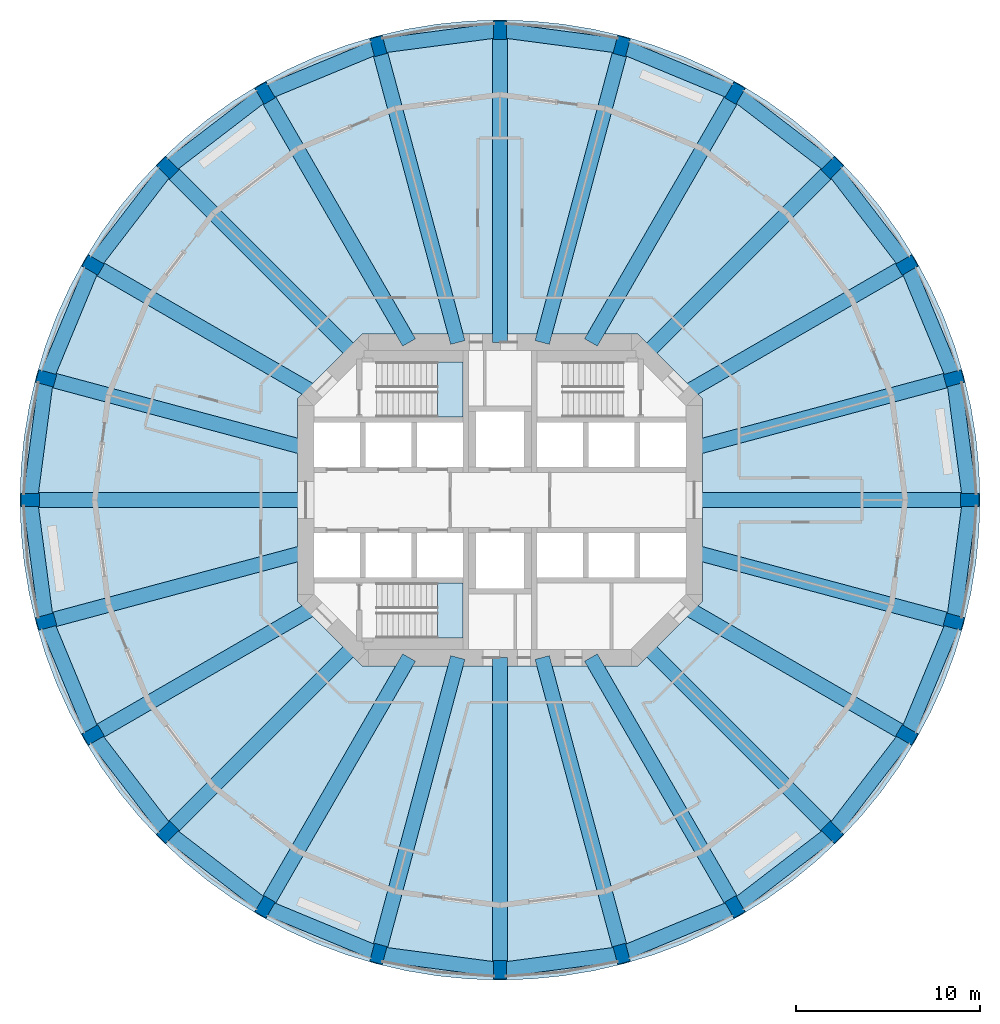
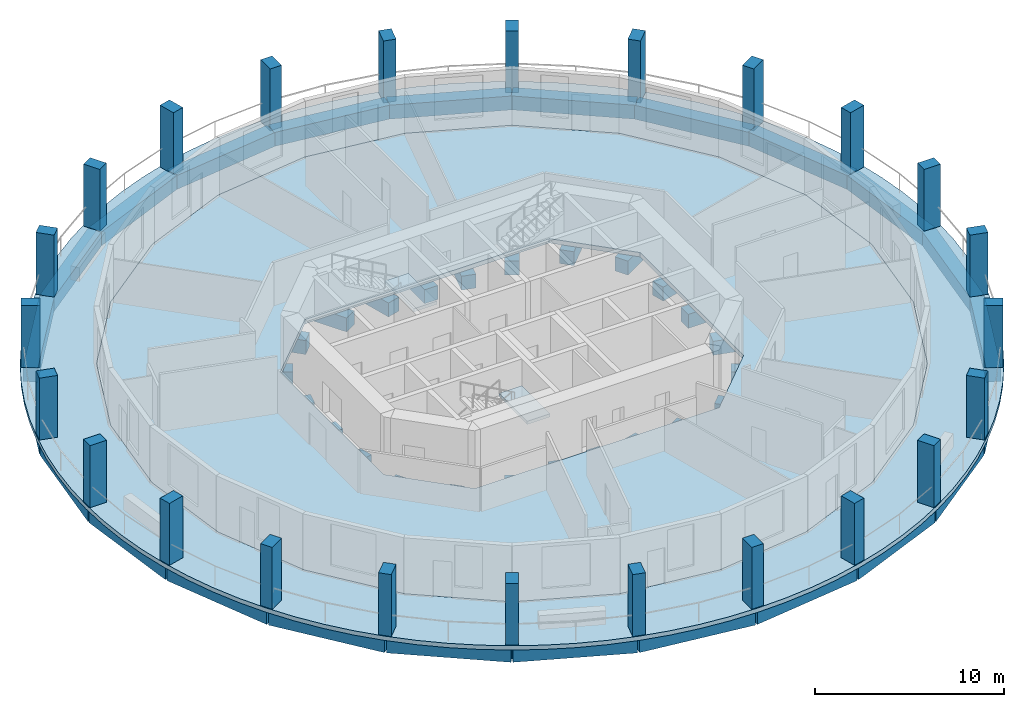
# One storey, part 1 of 8: 48 beams, 24 columns, 4 slabs, 2 elements without a shape of their own.
"""IFC4 building model written with IfcOpenShell, lengths in metres."""

from ifc_helpers import new_model, si_unit, direction, frame, origin, origin_2d, place, context, subcontext, project, spatial, polyline, rectangle, outline, extrude, material, layer, layer_set, material_profile, profile_set, type_object, element, aggregate, save


model = new_model("IFC4")

# Units and contexts
model_context = context("Model", 3, precision=1e-05, world=origin(), true_north=direction((0.0, 1.0)))
body_context = subcontext(model_context, "Body", "Model", "MODEL_VIEW")
ifc_project = project(units=[si_unit("LENGTHUNIT", "METRE"), si_unit("AREAUNIT", "SQUARE_METRE"), si_unit("VOLUMEUNIT", "CUBIC_METRE"), si_unit("PLANEANGLEUNIT", "RADIAN"), si_unit("MASSUNIT", "GRAM", prefix="KILO")], contexts=[model_context])

# Site, building, storey
site_placement = place(None, origin())
site = spatial("IfcSite", under=ifc_project, at=site_placement, CompositionType="ELEMENT")
building_placement = place(site_placement, origin())
building = spatial("IfcBuilding", under=site, at=building_placement, Name="Torre Triforio", CompositionType="ELEMENT")
storey_placement = place(building_placement, frame((0.0, 0.0, 90.60009765625)))
storey = spatial("IfcBuildingStorey", under=building, at=storey_placement, Name="L19", CompositionType="ELEMENT", Elevation=90.60009765625)

# Columns
ifc_material_1 = material(Name="Concrete C60", Category="concrete")
ifc_material_profile_1 = material_profile(ifc_material_1, rectangle(XDim=0.699951171875, YDim=1.0, at=origin_2d()), Name="RC 700x1000")
ifc_profile_set_1 = profile_set([ifc_material_profile_1], Name="Concrete C60")
column_type = type_object("IfcColumnType", Name="Pier RC 700x1000 C60", PredefinedType="COLUMN", material=ifc_profile_set_1)
for number, where, z_axis, x_axis, name in (
    (1, (25.5, 0.0, 0.0), (0.0, 0.0, 1.0), (0.0, 1.0, 0.0), "COL.R.L19.00"),
    (2, (24.631103515625, 6.599853515625, 0.0), (0.0, 0.0, 1.0), (-0.258819045103, 0.965925826289, 0.0), "COL.R.L19.01"),
    (3, (22.083740234375, 12.75, 0.0), (0.0, 0.0, 1.0), (-0.5, 0.866025403784, 0.0), "COL.R.L19.02"),
    (4, (18.03125, 18.03125, 0.0), (0.0, 0.0, 1.0), (-0.707106781187, 0.707106781187, 0.0), "COL.R.L19.03"),
    (5, (12.75, 22.083740234375, 0.0), (0.0, 0.0, 1.0), (-0.866025403784, 0.5, 0.0), "COL.R.L19.04"),
    (6, (6.599853515625, 24.631103515625, 0.0), (0.0, 0.0, 1.0), (-0.965925826289, 0.258819045103, 0.0), "COL.R.L19.05"),
    (7, (0.0, 25.5, 0.0), (0.0, 0.0, 1.0), (-1.0, 0.0, 0.0), "COL.R.L19.06"),
    (8, (-6.599853515625, 24.631103515625, 0.0), (0.0, 0.0, 1.0), (-0.965925826289, -0.258819045103, 0.0), "COL.R.L19.07"),
    (9, (-12.75, 22.083740234375, 0.0), (0.0, 0.0, 1.0), (-0.866025403784, -0.5, 0.0), "COL.R.L19.08"),
    (10, (-18.03125, 18.03125, 0.0), (0.0, 0.0, 1.0), (-0.707106781187, -0.707106781187, 0.0), "COL.R.L19.09"),
    (11, (-22.083740234375, 12.75, 0.0), (0.0, 0.0, 1.0), (-0.5, -0.866025403784, 0.0), "COL.R.L19.10"),
    (12, (-24.631103515625, 6.599853515625, 0.0), (0.0, 0.0, 1.0), (-0.258819045103, -0.965925826289, 0.0), "COL.R.L19.11"),
    (13, (-25.5, 0.0, 0.0), (0.0, 0.0, 1.0), (0.0, -1.0, 0.0), "COL.R.L19.12"),
    (14, (-24.631103515625, -6.599853515625, 0.0), (0.0, 0.0, 1.0), (0.258819045103, -0.965925826289, 0.0), "COL.R.L19.13"),
    (15, (-22.083740234375, -12.75, 0.0), (0.0, 0.0, 1.0), (0.5, -0.866025403784, 0.0), "COL.R.L19.14"),
    (16, (-18.03125, -18.03125, 0.0), (0.0, 0.0, 1.0), (0.707106781187, -0.707106781187, 0.0), "COL.R.L19.15"),
    (17, (-12.75, -22.083740234375, 0.0), (0.0, 0.0, 1.0), (0.866025403784, -0.5, 0.0), "COL.R.L19.16"),
    (18, (-6.599853515625, -24.631103515625, 0.0), (0.0, 0.0, 1.0), (0.965925826289, -0.258819045103, 0.0), "COL.R.L19.17"),
    (19, (0.0, -25.5, 0.0), (0.0, 0.0, 1.0), (1.0, 0.0, 0.0), "COL.R.L19.18"),
    (20, (6.599853515625, -24.631103515625, 0.0), (0.0, 0.0, 1.0), (0.965925826289, 0.258819045103, 0.0), "COL.R.L19.19"),
    (21, (12.75, -22.083740234375, 0.0), (0.0, 0.0, 1.0), (0.866025403784, 0.5, 0.0), "COL.R.L19.20"),
    (22, (18.03125, -18.03125, 0.0), (0.0, 0.0, 1.0), (0.707106781187, 0.707106781187, 0.0), "COL.R.L19.21"),
    (23, (22.083740234375, -12.75, 0.0), (0.0, 0.0, 1.0), (0.5, 0.866025403784, 0.0), "COL.R.L19.22"),
    (24, (24.631103515625, -6.599853515625, 0.0), (0.0, 0.0, 1.0), (0.258819045103, 0.965925826289, 0.0), "COL.R.L19.23"),
):
    element("IfcColumn", number, at=place(storey_placement, frame(where, z_axis=z_axis, x_axis=x_axis)), inside=storey, type_object=column_type, Name=name, PredefinedType="COLUMN", context=body_context, shape_type="SweptSolid", body=[
        extrude(rectangle(XDim=0.699951171875, YDim=1.0, at=origin_2d()), origin(), (0.0, 0.0, 1.0), 4.0),
    ])

# Beams
ifc_material_2 = material(Name="Concrete C50", Category="concrete")
ifc_material_profile_2 = material_profile(ifc_material_2, rectangle(XDim=0.800048828125, YDim=0.89990234375, at=origin_2d()), Name="RC 800x900")
ifc_profile_set_2 = profile_set([ifc_material_profile_2], Name="Concrete C50")
beam_type_1 = type_object("IfcBeamType", Name="Radial beam RC 800x900 C50", PredefinedType="BEAM", material=ifc_profile_set_2)
beam_1_placement = place(storey_placement, frame((10.550048828125, 0.0, -0.72998046875), z_axis=(1.0, 0.0, 0.0), x_axis=(0.0, 1.0, 0.0)))
element("IfcBeam", 25, at=beam_1_placement, inside=storey, type_object=beam_type_1, Name="BM.R.L19.00", PredefinedType="BEAM", context=body_context, shape_type="SweptSolid", body=[
    extrude(rectangle(XDim=0.800048828125, YDim=0.89990234375, at=origin_2d()), origin(), (0.0, 0.0, 1.0), 14.949951171875),
])
beam_2_placement = place(storey_placement, frame((10.550048828125, 2.826904296875, -0.72998046875), z_axis=(0.965926821176, 0.258815332104, 0.0), x_axis=(-0.258815332104, 0.965926821176, 0.0)))
element("IfcBeam", 26, at=beam_2_placement, inside=storey, type_object=beam_type_1, Name="BM.R.L19.01", PredefinedType="BEAM", context=body_context, shape_type="SweptSolid", body=[
    extrude(rectangle(XDim=0.800048828125, YDim=0.89990234375, at=origin_2d()), origin(), (0.0, 0.0, 1.0), 14.577880859375),
])
beam_3_placement = place(storey_placement, frame((10.039794921875, 5.796630859375, -0.72998046875), z_axis=(0.866031815519, 0.499988894385, 0.0), x_axis=(-0.499988894385, 0.866031815519, 0.0)))
element("IfcBeam", 27, at=beam_3_placement, inside=storey, type_object=beam_type_1, Name="BM.R.L19.02", PredefinedType="BEAM", context=body_context, shape_type="SweptSolid", body=[
    extrude(rectangle(XDim=0.800048828125, YDim=0.89990234375, at=origin_2d()), origin(), (0.0, 0.0, 1.0), 13.906982421875),
])
beam_4_placement = place(storey_placement, frame((7.918212890625, 7.918212890625, -0.72998046875), z_axis=(0.707106781187, 0.707106781187, 0.0), x_axis=(-0.707106781187, 0.707106781187, 0.0)))
element("IfcBeam", 28, at=beam_4_placement, inside=storey, type_object=beam_type_1, Name="BM.R.L19.03", PredefinedType="BEAM", context=body_context, shape_type="SweptSolid", body=[
    extrude(rectangle(XDim=0.800048828125, YDim=0.89990234375, at=origin_2d()), origin(), (0.0, 0.0, 1.0), 14.302001953125),
])
beam_5_placement = place(storey_placement, frame((4.936279296875, 8.550048828125, -0.72998046875), z_axis=(0.500001935381, 0.866024286389, 0.0), x_axis=(-0.866024286389, 0.500001935381, 0.0)))
element("IfcBeam", 29, at=beam_5_placement, inside=storey, type_object=beam_type_1, Name="BM.R.L19.04", PredefinedType="BEAM", context=body_context, shape_type="SweptSolid", body=[
    extrude(rectangle(XDim=0.800048828125, YDim=0.89990234375, at=origin_2d()), origin(), (0.0, 0.0, 1.0), 15.62744140625),
])
beam_6_placement = place(storey_placement, frame((2.291015625, 8.550048828125, -0.72998046875), z_axis=(0.25881524955, 0.965926843296, 0.0), x_axis=(-0.965926843296, 0.25881524955, 0.0)))
element("IfcBeam", 30, at=beam_6_placement, inside=storey, type_object=beam_type_1, Name="BM.R.L19.05", PredefinedType="BEAM", context=body_context, shape_type="SweptSolid", body=[
    extrude(rectangle(XDim=0.800048828125, YDim=0.89990234375, at=origin_2d()), origin(), (0.0, 0.0, 1.0), 16.648193359375),
])
beam_7_placement = place(storey_placement, frame((0.0, 8.550048828125, -0.72998046875), z_axis=(0.0, 1.0, 0.0), x_axis=(-1.0, 0.0, 0.0)))
element("IfcBeam", 31, at=beam_7_placement, inside=storey, type_object=beam_type_1, Name="BM.R.L19.06", PredefinedType="BEAM", context=body_context, shape_type="SweptSolid", body=[
    extrude(rectangle(XDim=0.800048828125, YDim=0.89990234375, at=origin_2d()), origin(), (0.0, 0.0, 1.0), 16.949951171875),
])
beam_8_placement = place(storey_placement, frame((-2.291015625, 8.550048828125, -0.72998046875), z_axis=(-0.25881524955, 0.965926843296, 0.0), x_axis=(-0.965926843296, -0.25881524955, 0.0)))
element("IfcBeam", 32, at=beam_8_placement, inside=storey, type_object=beam_type_1, Name="BM.R.L19.07", PredefinedType="BEAM", context=body_context, shape_type="SweptSolid", body=[
    extrude(rectangle(XDim=0.800048828125, YDim=0.89990234375, at=origin_2d()), origin(), (0.0, 0.0, 1.0), 16.648193359375),
])
beam_9_placement = place(storey_placement, frame((-4.936279296875, 8.550048828125, -0.72998046875), z_axis=(-0.500001935381, 0.866024286389, 0.0), x_axis=(-0.866024286389, -0.500001935381, 0.0)))
element("IfcBeam", 33, at=beam_9_placement, inside=storey, type_object=beam_type_1, Name="BM.R.L19.08", PredefinedType="BEAM", context=body_context, shape_type="SweptSolid", body=[
    extrude(rectangle(XDim=0.800048828125, YDim=0.89990234375, at=origin_2d()), origin(), (0.0, 0.0, 1.0), 15.62744140625),
])
beam_10_placement = place(storey_placement, frame((-7.918212890625, 7.918212890625, -0.72998046875), z_axis=(-0.707106781187, 0.707106781187, 0.0), x_axis=(-0.707106781187, -0.707106781187, 0.0)))
element("IfcBeam", 34, at=beam_10_placement, inside=storey, type_object=beam_type_1, Name="BM.R.L19.09", PredefinedType="BEAM", context=body_context, shape_type="SweptSolid", body=[
    extrude(rectangle(XDim=0.800048828125, YDim=0.89990234375, at=origin_2d()), origin(), (0.0, 0.0, 1.0), 14.302001953125),
])
beam_11_placement = place(storey_placement, frame((-10.039794921875, 5.796630859375, -0.72998046875), z_axis=(-0.866031815519, 0.499988894385, 0.0), x_axis=(-0.499988894385, -0.866031815519, 0.0)))
element("IfcBeam", 35, at=beam_11_placement, inside=storey, type_object=beam_type_1, Name="BM.R.L19.10", PredefinedType="BEAM", context=body_context, shape_type="SweptSolid", body=[
    extrude(rectangle(XDim=0.800048828125, YDim=0.89990234375, at=origin_2d()), origin(), (0.0, 0.0, 1.0), 13.906982421875),
])
beam_12_placement = place(storey_placement, frame((-10.550048828125, 2.826904296875, -0.72998046875), z_axis=(-0.965926821176, 0.258815332104, 0.0), x_axis=(-0.258815332104, -0.965926821176, 0.0)))
element("IfcBeam", 36, at=beam_12_placement, inside=storey, type_object=beam_type_1, Name="BM.R.L19.11", PredefinedType="BEAM", context=body_context, shape_type="SweptSolid", body=[
    extrude(rectangle(XDim=0.800048828125, YDim=0.89990234375, at=origin_2d()), origin(), (0.0, 0.0, 1.0), 14.577880859375),
])
beam_13_placement = place(storey_placement, frame((-10.550048828125, 0.0, -0.72998046875), z_axis=(-1.0, 0.0, 0.0), x_axis=(0.0, -1.0, 0.0)))
element("IfcBeam", 37, at=beam_13_placement, inside=storey, type_object=beam_type_1, Name="BM.R.L19.12", PredefinedType="BEAM", context=body_context, shape_type="SweptSolid", body=[
    extrude(rectangle(XDim=0.800048828125, YDim=0.89990234375, at=origin_2d()), origin(), (0.0, 0.0, 1.0), 14.949951171875),
])
beam_14_placement = place(storey_placement, frame((-10.550048828125, -2.826904296875, -0.72998046875), z_axis=(-0.965926821176, -0.258815332104, 0.0), x_axis=(0.258815332104, -0.965926821176, 0.0)))
element("IfcBeam", 38, at=beam_14_placement, inside=storey, type_object=beam_type_1, Name="BM.R.L19.13", PredefinedType="BEAM", context=body_context, shape_type="SweptSolid", body=[
    extrude(rectangle(XDim=0.800048828125, YDim=0.89990234375, at=origin_2d()), origin(), (0.0, 0.0, 1.0), 14.577880859375),
])
beam_15_placement = place(storey_placement, frame((-10.039794921875, -5.796630859375, -0.72998046875), z_axis=(-0.866031815519, -0.499988894385, 0.0), x_axis=(0.499988894385, -0.866031815519, 0.0)))
element("IfcBeam", 39, at=beam_15_placement, inside=storey, type_object=beam_type_1, Name="BM.R.L19.14", PredefinedType="BEAM", context=body_context, shape_type="SweptSolid", body=[
    extrude(rectangle(XDim=0.800048828125, YDim=0.89990234375, at=origin_2d()), origin(), (0.0, 0.0, 1.0), 13.906982421875),
])
beam_16_placement = place(storey_placement, frame((-7.918212890625, -7.918212890625, -0.72998046875), z_axis=(-0.707106781187, -0.707106781187, 0.0), x_axis=(0.707106781187, -0.707106781187, 0.0)))
element("IfcBeam", 40, at=beam_16_placement, inside=storey, type_object=beam_type_1, Name="BM.R.L19.15", PredefinedType="BEAM", context=body_context, shape_type="SweptSolid", body=[
    extrude(rectangle(XDim=0.800048828125, YDim=0.89990234375, at=origin_2d()), origin(), (0.0, 0.0, 1.0), 14.302001953125),
])
beam_17_placement = place(storey_placement, frame((-4.936279296875, -8.550048828125, -0.72998046875), z_axis=(-0.500001935381, -0.866024286389, 0.0), x_axis=(0.866024286389, -0.500001935381, 0.0)))
element("IfcBeam", 41, at=beam_17_placement, inside=storey, type_object=beam_type_1, Name="BM.R.L19.16", PredefinedType="BEAM", context=body_context, shape_type="SweptSolid", body=[
    extrude(rectangle(XDim=0.800048828125, YDim=0.89990234375, at=origin_2d()), origin(), (0.0, 0.0, 1.0), 15.62744140625),
])
beam_18_placement = place(storey_placement, frame((-2.291015625, -8.550048828125, -0.72998046875), z_axis=(-0.25881524955, -0.965926843296, 0.0), x_axis=(0.965926843296, -0.25881524955, 0.0)))
element("IfcBeam", 42, at=beam_18_placement, inside=storey, type_object=beam_type_1, Name="BM.R.L19.17", PredefinedType="BEAM", context=body_context, shape_type="SweptSolid", body=[
    extrude(rectangle(XDim=0.800048828125, YDim=0.89990234375, at=origin_2d()), origin(), (0.0, 0.0, 1.0), 16.648193359375),
])
beam_19_placement = place(storey_placement, frame((0.0, -8.550048828125, -0.72998046875), z_axis=(0.0, -1.0, 0.0), x_axis=(1.0, 0.0, 0.0)))
element("IfcBeam", 43, at=beam_19_placement, inside=storey, type_object=beam_type_1, Name="BM.R.L19.18", PredefinedType="BEAM", context=body_context, shape_type="SweptSolid", body=[
    extrude(rectangle(XDim=0.800048828125, YDim=0.89990234375, at=origin_2d()), origin(), (0.0, 0.0, 1.0), 16.949951171875),
])
beam_20_placement = place(storey_placement, frame((2.291015625, -8.550048828125, -0.72998046875), z_axis=(0.25881524955, -0.965926843296, 0.0), x_axis=(0.965926843296, 0.25881524955, 0.0)))
element("IfcBeam", 44, at=beam_20_placement, inside=storey, type_object=beam_type_1, Name="BM.R.L19.19", PredefinedType="BEAM", context=body_context, shape_type="SweptSolid", body=[
    extrude(rectangle(XDim=0.800048828125, YDim=0.89990234375, at=origin_2d()), origin(), (0.0, 0.0, 1.0), 16.648193359375),
])
beam_21_placement = place(storey_placement, frame((4.936279296875, -8.550048828125, -0.72998046875), z_axis=(0.500001935381, -0.866024286389, 0.0), x_axis=(0.866024286389, 0.500001935381, 0.0)))
element("IfcBeam", 45, at=beam_21_placement, inside=storey, type_object=beam_type_1, Name="BM.R.L19.20", PredefinedType="BEAM", context=body_context, shape_type="SweptSolid", body=[
    extrude(rectangle(XDim=0.800048828125, YDim=0.89990234375, at=origin_2d()), origin(), (0.0, 0.0, 1.0), 15.62744140625),
])
beam_22_placement = place(storey_placement, frame((7.918212890625, -7.918212890625, -0.72998046875), z_axis=(0.707106781187, -0.707106781187, 0.0), x_axis=(0.707106781187, 0.707106781187, 0.0)))
element("IfcBeam", 46, at=beam_22_placement, inside=storey, type_object=beam_type_1, Name="BM.R.L19.21", PredefinedType="BEAM", context=body_context, shape_type="SweptSolid", body=[
    extrude(rectangle(XDim=0.800048828125, YDim=0.89990234375, at=origin_2d()), origin(), (0.0, 0.0, 1.0), 14.302001953125),
])
beam_23_placement = place(storey_placement, frame((10.039794921875, -5.796630859375, -0.72998046875), z_axis=(0.866031815519, -0.499988894385, 0.0), x_axis=(0.499988894385, 0.866031815519, 0.0)))
element("IfcBeam", 47, at=beam_23_placement, inside=storey, type_object=beam_type_1, Name="BM.R.L19.22", PredefinedType="BEAM", context=body_context, shape_type="SweptSolid", body=[
    extrude(rectangle(XDim=0.800048828125, YDim=0.89990234375, at=origin_2d()), origin(), (0.0, 0.0, 1.0), 13.906982421875),
])
beam_24_placement = place(storey_placement, frame((10.550048828125, -2.826904296875, -0.72998046875), z_axis=(0.965926821176, -0.258815332104, 0.0), x_axis=(0.258815332104, 0.965926821176, 0.0)))
element("IfcBeam", 48, at=beam_24_placement, inside=storey, type_object=beam_type_1, Name="BM.R.L19.23", PredefinedType="BEAM", context=body_context, shape_type="SweptSolid", body=[
    extrude(rectangle(XDim=0.800048828125, YDim=0.89990234375, at=origin_2d()), origin(), (0.0, 0.0, 1.0), 14.577880859375),
])
ifc_material_profile_3 = material_profile(ifc_material_2, rectangle(XDim=0.800048828125, YDim=0.89990234375, at=origin_2d()), Name="RC 800x900")
ifc_profile_set_3 = profile_set([ifc_material_profile_3], Name="Concrete C50")
beam_type_2 = type_object("IfcBeamType", Name="Spandrel beam RC 800x900 C50", PredefinedType="SPANDREL", material=ifc_profile_set_3)
for number, where, z_axis, x_axis, name in (
    (49, (25.5, 0.0, -0.72998046875), (-0.130527563319, 0.991444680864, 0.0), (-0.991444680864, -0.130527563319, 0.0), "BM.S.L19.00"),
    (50, (24.631103515625, 6.599853515625, -0.72998046875), (-0.382669224891, 0.923885417312, 0.0), (-0.923885417312, -0.382669224891, 0.0), "BM.S.L19.01"),
):
    element("IfcBeam", number, at=place(storey_placement, frame(where, z_axis=z_axis, x_axis=x_axis)), inside=storey, type_object=beam_type_2, Name=name, PredefinedType="SPANDREL", context=body_context, shape_type="SweptSolid", body=[
        extrude(rectangle(XDim=0.800048828125, YDim=0.89990234375, at=origin_2d()), origin(), (0.0, 0.0, 1.0), 6.65673828125),
    ])
for number, where, z_axis, x_axis, name in (
    (51, (22.083740234375, 12.75, -0.72998046875), (-0.608765643954, 0.793350106032, 0.0), (-0.793350106032, -0.608765643954, 0.0), "BM.S.L19.02"),
    (52, (18.03125, 18.03125, -0.72998046875), (-0.793350106032, 0.608765643954, 0.0), (-0.608765643954, -0.793350106032, 0.0), "BM.S.L19.03"),
):
    element("IfcBeam", number, at=place(storey_placement, frame(where, z_axis=z_axis, x_axis=x_axis)), inside=storey, type_object=beam_type_2, Name=name, PredefinedType="SPANDREL", context=body_context, shape_type="SweptSolid", body=[
        extrude(rectangle(XDim=0.800048828125, YDim=0.89990234375, at=origin_2d()), origin(), (0.0, 0.0, 1.0), 6.656982421875),
    ])
for number, where, z_axis, x_axis, name in (
    (53, (12.75, 22.083740234375, -0.72998046875), (-0.923885417312, 0.382669224891, 0.0), (-0.382669224891, -0.923885417312, 0.0), "BM.S.L19.04"),
    (54, (6.599853515625, 24.631103515625, -0.72998046875), (-0.991444680864, 0.130527563319, 0.0), (-0.130527563319, -0.991444680864, 0.0), "BM.S.L19.05"),
    (55, (0.0, 25.5, -0.72998046875), (-0.991444680864, -0.130527563319, 0.0), (0.130527563319, -0.991444680864, 0.0), "BM.S.L19.06"),
    (56, (-6.599853515625, 24.631103515625, -0.72998046875), (-0.923885417312, -0.382669224891, 0.0), (0.382669224891, -0.923885417312, 0.0), "BM.S.L19.07"),
):
    element("IfcBeam", number, at=place(storey_placement, frame(where, z_axis=z_axis, x_axis=x_axis)), inside=storey, type_object=beam_type_2, Name=name, PredefinedType="SPANDREL", context=body_context, shape_type="SweptSolid", body=[
        extrude(rectangle(XDim=0.800048828125, YDim=0.89990234375, at=origin_2d()), origin(), (0.0, 0.0, 1.0), 6.65673828125),
    ])
for number, where, z_axis, x_axis, name in (
    (57, (-12.75, 22.083740234375, -0.72998046875), (-0.793350106032, -0.608765643954, 0.0), (0.608765643954, -0.793350106032, 0.0), "BM.S.L19.08"),
    (58, (-18.03125, 18.03125, -0.72998046875), (-0.608765643954, -0.793350106032, 0.0), (0.793350106032, -0.608765643954, 0.0), "BM.S.L19.09"),
):
    element("IfcBeam", number, at=place(storey_placement, frame(where, z_axis=z_axis, x_axis=x_axis)), inside=storey, type_object=beam_type_2, Name=name, PredefinedType="SPANDREL", context=body_context, shape_type="SweptSolid", body=[
        extrude(rectangle(XDim=0.800048828125, YDim=0.89990234375, at=origin_2d()), origin(), (0.0, 0.0, 1.0), 6.656982421875),
    ])
for number, where, z_axis, x_axis, name in (
    (59, (-22.083740234375, 12.75, -0.72998046875), (-0.382669224891, -0.923885417312, 0.0), (0.923885417312, -0.382669224891, 0.0), "BM.S.L19.10"),
    (60, (-24.631103515625, 6.599853515625, -0.72998046875), (-0.130527563319, -0.991444680864, 0.0), (0.991444680864, -0.130527563319, 0.0), "BM.S.L19.11"),
    (61, (-25.5, 0.0, -0.72998046875), (0.130527563319, -0.991444680864, 0.0), (0.991444680864, 0.130527563319, 0.0), "BM.S.L19.12"),
    (62, (-24.631103515625, -6.599853515625, -0.72998046875), (0.382669224891, -0.923885417312, 0.0), (0.923885417312, 0.382669224891, 0.0), "BM.S.L19.13"),
):
    element("IfcBeam", number, at=place(storey_placement, frame(where, z_axis=z_axis, x_axis=x_axis)), inside=storey, type_object=beam_type_2, Name=name, PredefinedType="SPANDREL", context=body_context, shape_type="SweptSolid", body=[
        extrude(rectangle(XDim=0.800048828125, YDim=0.89990234375, at=origin_2d()), origin(), (0.0, 0.0, 1.0), 6.65673828125),
    ])
for number, where, z_axis, x_axis, name in (
    (63, (-22.083740234375, -12.75, -0.72998046875), (0.608765643954, -0.793350106032, 0.0), (0.793350106032, 0.608765643954, 0.0), "BM.S.L19.14"),
    (64, (-18.03125, -18.03125, -0.72998046875), (0.793350106032, -0.608765643954, 0.0), (0.608765643954, 0.793350106032, 0.0), "BM.S.L19.15"),
):
    element("IfcBeam", number, at=place(storey_placement, frame(where, z_axis=z_axis, x_axis=x_axis)), inside=storey, type_object=beam_type_2, Name=name, PredefinedType="SPANDREL", context=body_context, shape_type="SweptSolid", body=[
        extrude(rectangle(XDim=0.800048828125, YDim=0.89990234375, at=origin_2d()), origin(), (0.0, 0.0, 1.0), 6.656982421875),
    ])
for number, where, z_axis, x_axis, name in (
    (65, (-12.75, -22.083740234375, -0.72998046875), (0.923885417312, -0.382669224891, 0.0), (0.382669224891, 0.923885417312, 0.0), "BM.S.L19.16"),
    (66, (-6.599853515625, -24.631103515625, -0.72998046875), (0.991444680864, -0.130527563319, 0.0), (0.130527563319, 0.991444680864, 0.0), "BM.S.L19.17"),
    (67, (0.0, -25.5, -0.72998046875), (0.991444680864, 0.130527563319, 0.0), (-0.130527563319, 0.991444680864, 0.0), "BM.S.L19.18"),
    (68, (6.599853515625, -24.631103515625, -0.72998046875), (0.923885417312, 0.382669224891, 0.0), (-0.382669224891, 0.923885417312, 0.0), "BM.S.L19.19"),
):
    element("IfcBeam", number, at=place(storey_placement, frame(where, z_axis=z_axis, x_axis=x_axis)), inside=storey, type_object=beam_type_2, Name=name, PredefinedType="SPANDREL", context=body_context, shape_type="SweptSolid", body=[
        extrude(rectangle(XDim=0.800048828125, YDim=0.89990234375, at=origin_2d()), origin(), (0.0, 0.0, 1.0), 6.65673828125),
    ])
for number, where, z_axis, x_axis, name in (
    (69, (12.75, -22.083740234375, -0.72998046875), (0.793350106032, 0.608765643954, 0.0), (-0.608765643954, 0.793350106032, 0.0), "BM.S.L19.20"),
    (70, (18.03125, -18.03125, -0.72998046875), (0.608765643954, 0.793350106032, 0.0), (-0.793350106032, 0.608765643954, 0.0), "BM.S.L19.21"),
):
    element("IfcBeam", number, at=place(storey_placement, frame(where, z_axis=z_axis, x_axis=x_axis)), inside=storey, type_object=beam_type_2, Name=name, PredefinedType="SPANDREL", context=body_context, shape_type="SweptSolid", body=[
        extrude(rectangle(XDim=0.800048828125, YDim=0.89990234375, at=origin_2d()), origin(), (0.0, 0.0, 1.0), 6.656982421875),
    ])
for number, where, z_axis, x_axis, name in (
    (71, (22.083740234375, -12.75, -0.72998046875), (0.382669224891, 0.923885417312, 0.0), (-0.923885417312, 0.382669224891, 0.0), "BM.S.L19.22"),
    (72, (24.631103515625, -6.599853515625, -0.72998046875), (0.130527563319, 0.991444680864, 0.0), (-0.991444680864, 0.130527563319, 0.0), "BM.S.L19.23"),
):
    element("IfcBeam", number, at=place(storey_placement, frame(where, z_axis=z_axis, x_axis=x_axis)), inside=storey, type_object=beam_type_2, Name=name, PredefinedType="SPANDREL", context=body_context, shape_type="SweptSolid", body=[
        extrude(rectangle(XDim=0.800048828125, YDim=0.89990234375, at=origin_2d()), origin(), (0.0, 0.0, 1.0), 6.65673828125),
    ])

# Slabs
ifc_layer_1 = layer(ifc_material_2, 0.280029296875)
ifc_layer_set_1 = layer_set([ifc_layer_1], Name="Concrete C50")
slab_type_1 = type_object("IfcSlabType", Name="Floor slab 280 C50", PredefinedType="FLOOR", material=ifc_layer_set_1)
slab_1_placement = place(storey_placement, frame((0.0, 0.0, -0.280029296875)))
element("IfcSlab", 73, at=slab_1_placement, inside=storey, type_object=slab_type_1, Name="SL.L19", PredefinedType="FLOOR", context=body_context, shape_type="SweptSolid", body=[
    extrude(outline(polyline([(19.052490234375, -11.0), (21.25048828125, -5.694091796875), (22.0, 0.0), (21.25048828125, 5.694091796875), (19.052490234375, 11.0), (15.556396484375, 15.556396484375), (11.0, 19.052490234375), (5.694091796875, 21.25048828125), (0.0, 22.0), (-5.694091796875, 21.25048828125), (-11.0, 19.052490234375), (-15.556396484375, 15.556396484375), (-19.052490234375, 11.0), (-21.25048828125, 5.694091796875), (-22.0, 0.0), (-21.25048828125, -5.694091796875), (-19.052490234375, -11.0), (-15.556396484375, -15.556396484375), (-11.0, -19.052490234375), (-5.694091796875, -21.25048828125), (0.0, -22.0), (5.694091796875, -21.25048828125), (11.0, -19.052490234375), (15.556396484375, -15.556396484375), (19.052490234375, -11.0)]), holes=[polyline([(11.0, 5.472900390625), (11.0, -5.472900390625), (7.472900390625, -9.0), (-7.472900390625, -9.0), (-11.0, -5.472900390625), (-11.0, 5.472900390625), (-7.472900390625, 9.0), (7.472900390625, 9.0), (11.0, 5.472900390625)])]), origin(), (0.0, 0.0, 1.0), 0.280029296875),
])
ifc_layer_2 = layer(ifc_material_2, 0.280029296875)
ifc_layer_set_2 = layer_set([ifc_layer_2], Name="Concrete C50")
slab_type_2 = type_object("IfcSlabType", Name="Loggia slab 280 C50", PredefinedType="FLOOR", material=ifc_layer_set_2)
slab_2_placement = place(storey_placement, frame((0.0, 0.0, -0.280029296875)))
element("IfcSlab", 74, at=slab_2_placement, inside=storey, type_object=slab_type_2, Name="SL.L19.LG", PredefinedType="FLOOR", context=body_context, shape_type="SweptSolid", body=[
    extrude(outline(polyline([(25.994140625, -1.703857421875), (26.050048828125, 0.0), (25.994140625, 1.703857421875), (25.8271484375, 3.400146484375), (25.549560546875, 5.08203125), (25.162353515625, 6.7421875), (24.66748046875, 8.37353515625), (24.067138671875, 9.968994140625), (23.363525390625, 11.521728515625), (22.56005859375, 13.02490234375), (21.65966796875, 14.47265625), (20.666748046875, 15.858154296875), (19.58544921875, 17.176025390625), (18.420166015625, 18.420166015625), (17.176025390625, 19.58544921875), (15.858154296875, 20.666748046875), (14.47265625, 21.65966796875), (13.02490234375, 22.56005859375), (11.521728515625, 23.363525390625), (9.968994140625, 24.067138671875), (8.37353515625, 24.66748046875), (6.7421875, 25.162353515625), (5.08203125, 25.549560546875), (3.400146484375, 25.8271484375), (1.703857421875, 25.994140625), (0.0, 26.050048828125), (-1.703857421875, 25.994140625), (-3.400146484375, 25.8271484375), (-5.08203125, 25.549560546875), (-6.7421875, 25.162353515625), (-8.37353515625, 24.66748046875), (-9.968994140625, 24.067138671875), (-11.521728515625, 23.363525390625), (-13.02490234375, 22.56005859375), (-14.47265625, 21.65966796875), (-15.858154296875, 20.666748046875), (-17.176025390625, 19.58544921875), (-18.420166015625, 18.420166015625), (-19.58544921875, 17.176025390625), (-20.666748046875, 15.858154296875), (-21.65966796875, 14.47265625), (-22.56005859375, 13.02490234375), (-23.363525390625, 11.521728515625), (-24.067138671875, 9.968994140625), (-24.66748046875, 8.37353515625), (-25.162353515625, 6.7421875), (-25.549560546875, 5.08203125), (-25.8271484375, 3.400146484375), (-25.994140625, 1.703857421875), (-26.050048828125, 0.0), (-25.994140625, -1.703857421875), (-25.8271484375, -3.400146484375), (-25.549560546875, -5.08203125), (-25.162353515625, -6.7421875), (-24.66748046875, -8.37353515625), (-24.067138671875, -9.968994140625), (-23.363525390625, -11.521728515625), (-22.56005859375, -13.02490234375), (-21.65966796875, -14.47265625), (-20.666748046875, -15.858154296875), (-19.58544921875, -17.176025390625), (-18.420166015625, -18.420166015625), (-17.176025390625, -19.58544921875), (-15.858154296875, -20.666748046875), (-14.47265625, -21.65966796875), (-13.02490234375, -22.56005859375), (-11.521728515625, -23.363525390625), (-9.968994140625, -24.067138671875), (-8.37353515625, -24.66748046875), (-6.7421875, -25.162353515625), (-5.08203125, -25.549560546875), (-3.400146484375, -25.8271484375), (-1.703857421875, -25.994140625), (0.0, -26.050048828125), (1.703857421875, -25.994140625), (3.400146484375, -25.8271484375), (5.08203125, -25.549560546875), (6.7421875, -25.162353515625), (8.37353515625, -24.66748046875), (9.968994140625, -24.067138671875), (11.521728515625, -23.363525390625), (13.02490234375, -22.56005859375), (14.47265625, -21.65966796875), (15.858154296875, -20.666748046875), (17.176025390625, -19.58544921875), (18.420166015625, -18.420166015625), (19.58544921875, -17.176025390625), (20.666748046875, -15.858154296875), (21.65966796875, -14.47265625), (22.56005859375, -13.02490234375), (23.363525390625, -11.521728515625), (24.067138671875, -9.968994140625), (24.66748046875, -8.37353515625), (25.162353515625, -6.7421875), (25.549560546875, -5.08203125), (25.8271484375, -3.400146484375), (25.994140625, -1.703857421875)]), holes=[polyline([(21.25048828125, 5.694091796875), (22.0, 0.0), (21.25048828125, -5.694091796875), (19.052490234375, -11.0), (15.556396484375, -15.556396484375), (11.0, -19.052490234375), (5.694091796875, -21.25048828125), (0.0, -22.0), (-5.694091796875, -21.25048828125), (-11.0, -19.052490234375), (-15.556396484375, -15.556396484375), (-19.052490234375, -11.0), (-21.25048828125, -5.694091796875), (-22.0, 0.0), (-21.25048828125, 5.694091796875), (-19.052490234375, 11.0), (-15.556396484375, 15.556396484375), (-11.0, 19.052490234375), (-5.694091796875, 21.25048828125), (0.0, 22.0), (5.694091796875, 21.25048828125), (11.0, 19.052490234375), (15.556396484375, 15.556396484375), (19.052490234375, 11.0), (21.25048828125, 5.694091796875)])]), origin(), (0.0, 0.0, 1.0), 0.280029296875),
])

# Stair, slab
ifc_material_3 = material(Name="Concrete C40", Category="concrete")
stair_type = type_object("IfcStairType", Name="STAIR HALF-TURN", PredefinedType="HALF_TURN_STAIR", material=ifc_material_3)
stair_1_placement = place(storey_placement, origin())
stair_1 = element("IfcStair", 75, at=stair_1_placement, inside=storey, type_object=stair_type, Name="Exit stair 1", PredefinedType="HALF_TURN_STAIR")
ifc_layer_3 = layer(ifc_material_3, 0.199951171875)
ifc_layer_set_3 = layer_set([ifc_layer_3], Name="Concrete C40")
slab_type_3 = type_object("IfcSlabType", Name="STAIR LANDING 200", PredefinedType="LANDING", material=ifc_layer_set_3)
slab_3_placement = place(storey_placement, frame((0.0, 0.0, 1.7998046875)))
slab_3 = element("IfcSlab", 76, at=slab_3_placement, type_object=slab_type_3, Name="ST1 landing 1", PredefinedType="LANDING", context=body_context, shape_type="SweptSolid", body=[
    extrude(outline(polyline([(-2.0, 4.5), (-2.0, 7.5), (-3.39990234375, 7.5), (-3.39990234375, 4.5), (-2.0, 4.5)])), origin(), (0.0, 0.0, 1.0), 0.2001953125),
])
aggregate(stair_1, [slab_3])

stair_2_placement = place(storey_placement, origin())
stair_2 = element("IfcStair", 77, at=stair_2_placement, inside=storey, type_object=stair_type, Name="Exit stair 3", PredefinedType="HALF_TURN_STAIR")
slab_4_placement = place(storey_placement, frame((0.0, 0.0, 1.7998046875)))
slab_4 = element("IfcSlab", 78, at=slab_4_placement, type_object=slab_type_3, Name="ST3 landing 1", PredefinedType="LANDING", context=body_context, shape_type="SweptSolid", body=[
    extrude(outline(polyline([(-2.0, -7.5), (-2.0, -4.5), (-3.39990234375, -4.5), (-3.39990234375, -7.5), (-2.0, -7.5)])), origin(), (0.0, 0.0, 1.0), 0.2001953125),
])
aggregate(stair_2, [slab_4])

save(model, "model.ifc")
